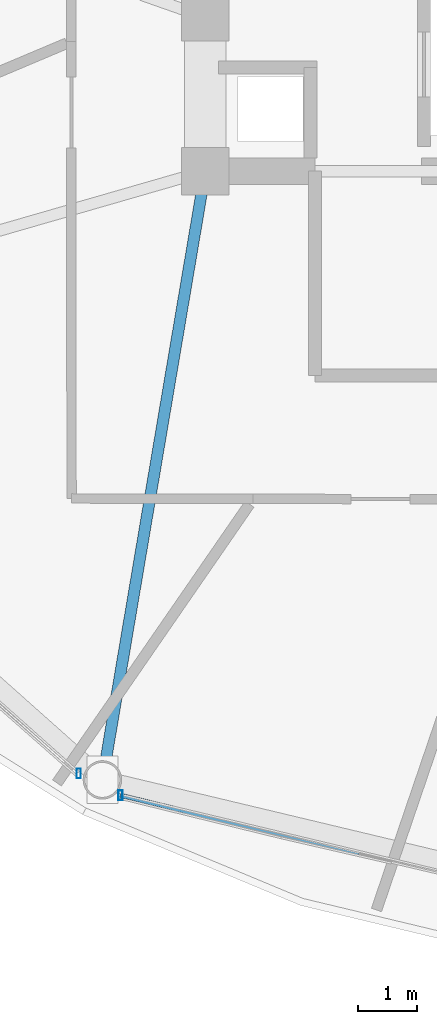
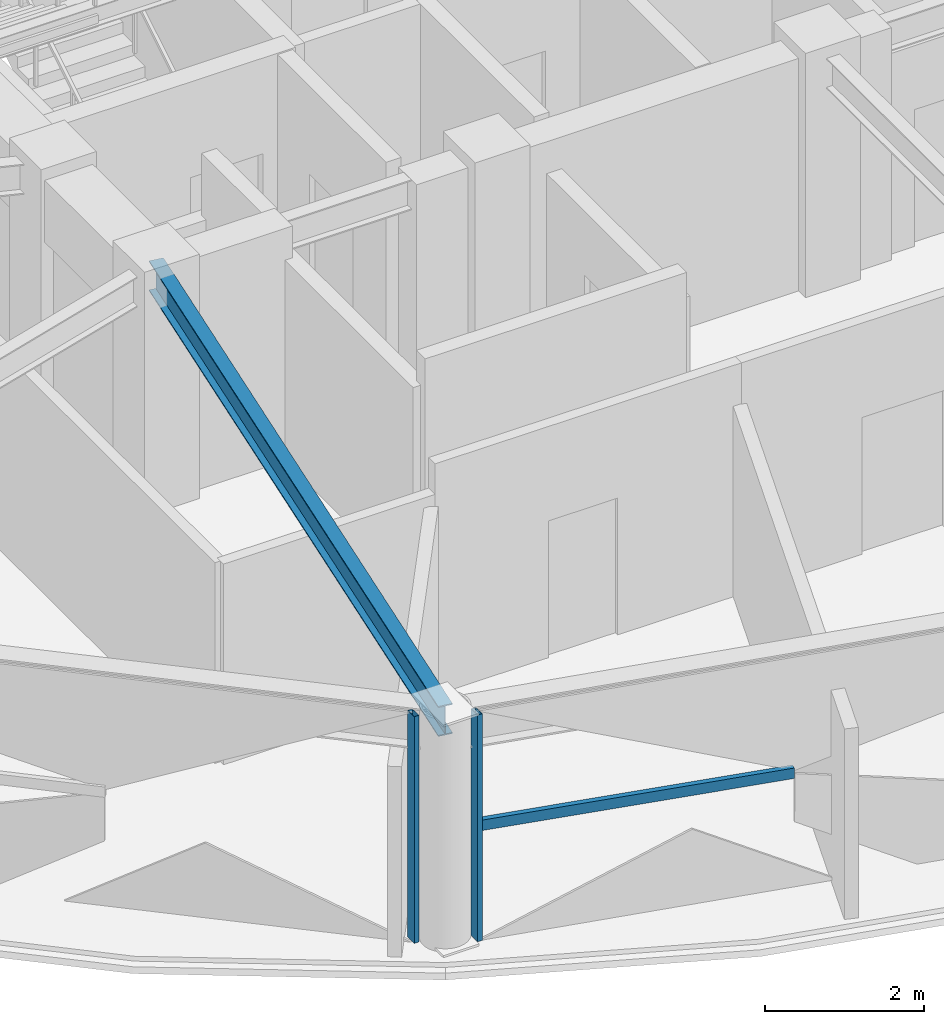
# One storey, part 2 of 30: 3 members, 1 beam, 2 elements without a shape of their own.
"""IFC4 building model written with IfcOpenShell, lengths in metres."""

from ifc_helpers import new_model, si_unit, direction, frame, origin, origin_2d, place, context, subcontext, project, spatial, hollow_rectangle, i_section, extrude, material, layer, layer_set, material_profile, profile_set, type_object, element, aggregate, save


model = new_model("IFC4")

# Units and contexts
model_context = context("Model", 3, precision=1e-05, world=origin(), true_north=direction((0.0, 1.0)))
body_context = subcontext(model_context, "Body", "Model", "MODEL_VIEW")
ifc_project = project(units=[si_unit("LENGTHUNIT", "METRE"), si_unit("AREAUNIT", "SQUARE_METRE"), si_unit("VOLUMEUNIT", "CUBIC_METRE"), si_unit("PLANEANGLEUNIT", "RADIAN"), si_unit("MASSUNIT", "GRAM", prefix="KILO")], contexts=[model_context])

# Site, building, storey
site_placement = place(None, origin())
site = spatial("IfcSite", under=ifc_project, at=site_placement, CompositionType="ELEMENT")
building_placement = place(site_placement, origin())
building = spatial("IfcBuilding", under=site, at=building_placement, Name="Vantalir Tower", CompositionType="ELEMENT")
storey_placement = place(building_placement, frame((0.0, 0.0, 193.64990234375)))
storey = spatial("IfcBuildingStorey", under=building, at=storey_placement, Name="L48", CompositionType="ELEMENT", Elevation=193.64990234375)

# Beam
ifc_material_1 = material(Name="Steel S355", Category="steel")
ifc_material_profile_1 = material_profile(ifc_material_1, i_section(OverallWidth=0.19189453125, OverallDepth=0.462890625, WebThickness=0.010498046875, FlangeThickness=0.017578125, at=origin_2d()), Name="Steel S355")
ifc_profile_set_1 = profile_set([ifc_material_profile_1], Name="Steel S355")
beam_type = type_object("IfcBeamType", Name="BM-RB-457x191", PredefinedType="BEAM", material=ifc_profile_set_1)
beam_placement = place(storey_placement, frame((20.162109375, 7.51708984375, 3.338134765625), z_axis=(0.166634565595, 0.986018722717, 0.0), x_axis=(-0.986018722717, 0.166634565595, 0.0)))
element("IfcBeam", 1, at=beam_placement, inside=storey, type_object=beam_type, Name="L48 Radial Floor Beam 09", PredefinedType="BEAM", context=body_context, shape_type="SweptSolid", body=[
    extrude(i_section(OverallWidth=0.19189453125, OverallDepth=0.462890625, WebThickness=0.010498046875, FlangeThickness=0.017578125, at=origin_2d()), origin(), (0.0, 0.0, 1.0), 10.4287109375),
])

# Curtain wall, member
ifc_material_2 = material(Name="Champagne-silver PVDF aluminium and double-silver Low-E glass", Category="aluminium")
ifc_layer = layer(ifc_material_2, 0.2099609375)
ifc_layer_set = layer_set([ifc_layer], Name="Champagne-silver PVDF aluminium and double-silver Low-E glass")
curtain_wall_type = type_object("IfcCurtainWallType", Name="CW-DIAMOND-Z3", PredefinedType="USERDEFINED", material=ifc_layer_set)
curtain_wall_1_placement = place(storey_placement, origin())
curtain_wall_1 = element("IfcCurtainWall", 2, at=curtain_wall_1_placement, inside=storey, type_object=curtain_wall_type, Name="L48 Quilted Pyramid-Diamond Curtain Wall S08", ObjectType="UNITISED CURTAIN WALL", PredefinedType="USERDEFINED")
ifc_material_3 = material(Name="Champagne-silver PVDF aluminium 6063-T6", Category="aluminium")
ifc_material_profile_2 = material_profile(ifc_material_3, hollow_rectangle(XDim=0.070068359375, YDim=0.1650390625, WallThickness=0.00390625, at=origin_2d()), Name="Champagne-silver PVDF aluminium 6063-T6")
ifc_profile_set_2 = profile_set([ifc_material_profile_2], Name="Champagne-silver PVDF aluminium 6063-T6")
member_type_1 = type_object("IfcMemberType", Name="CWM-165x70", PredefinedType="MULLION", material=ifc_profile_set_2)
member_1_placement = place(storey_placement, frame((19.760986328125, 7.625, 0.045166015625), z_axis=(0.0, 0.0, 1.0), x_axis=(1.0, 0.0, 0.0)))
member_1 = element("IfcMember", 3, at=member_1_placement, type_object=member_type_1, Name="CW-L48-S08 Mullion 2", PredefinedType="MULLION", context=body_context, shape_type="SweptSolid", body=[
    extrude(hollow_rectangle(XDim=0.070068359375, YDim=0.1650390625, WallThickness=0.00390625, at=origin_2d()), origin(), (0.0, 0.0, 1.0), 3.47998046875),
])
aggregate(curtain_wall_1, [member_1])

# Curtain wall, members
curtain_wall_2_placement = place(storey_placement, origin())
curtain_wall_2 = element("IfcCurtainWall", 4, at=curtain_wall_2_placement, inside=storey, type_object=curtain_wall_type, Name="L48 Quilted Pyramid-Diamond Curtain Wall S09", ObjectType="UNITISED CURTAIN WALL", PredefinedType="USERDEFINED")
member_2_placement = place(storey_placement, frame((20.466064453125, 7.257080078125, 0.045166015625), z_axis=(0.0, 0.0, 1.0), x_axis=(1.0, 0.0, 0.0)))
member_2 = element("IfcMember", 5, at=member_2_placement, type_object=member_type_1, Name="CW-L48-S09 Mullion 1", PredefinedType="MULLION", context=body_context, shape_type="SweptSolid", body=[
    extrude(hollow_rectangle(XDim=0.070068359375, YDim=0.1650390625, WallThickness=0.00390625, at=origin_2d()), origin(), (0.0, 0.0, 1.0), 3.47998046875),
])
ifc_material_profile_3 = material_profile(ifc_material_3, hollow_rectangle(XDim=0.074951171875, YDim=0.159912109375, WallThickness=0.00390625, at=origin_2d()), Name="Champagne-silver PVDF aluminium 6063-T6")
ifc_profile_set_3 = profile_set([ifc_material_profile_3], Name="Champagne-silver PVDF aluminium 6063-T6")
member_type_2 = type_object("IfcMemberType", Name="CWT-160x75", PredefinedType="USERDEFINED", material=ifc_profile_set_3)
member_3_placement = place(storey_placement, frame((20.466064453125, 7.257080078125, 1.78515625), z_axis=(0.971276515079, -0.237953632576, 0.0), x_axis=(0.237953632576, 0.971276515079, 0.0)))
member_3 = element("IfcMember", 6, at=member_3_placement, type_object=member_type_2, Name="CW-L48-S09 Pyramid Fold Ridge Transom", ObjectType="TRANSOM", PredefinedType="USERDEFINED", context=body_context, shape_type="SweptSolid", body=[
    extrude(hollow_rectangle(XDim=0.074951171875, YDim=0.159912109375, WallThickness=0.00390625, at=origin_2d()), origin(), (0.0, 0.0, 1.0), 4.15234375),
])
aggregate(curtain_wall_2, [member_2, member_3])

save(model, "model.ifc")
